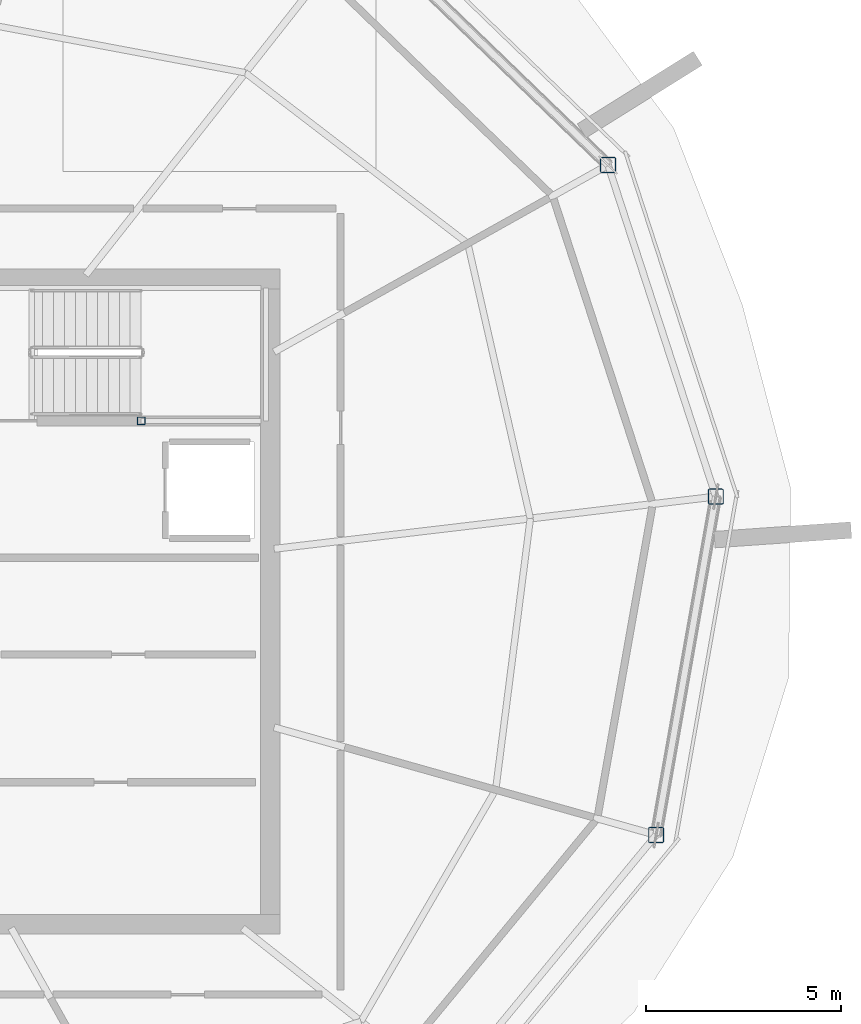
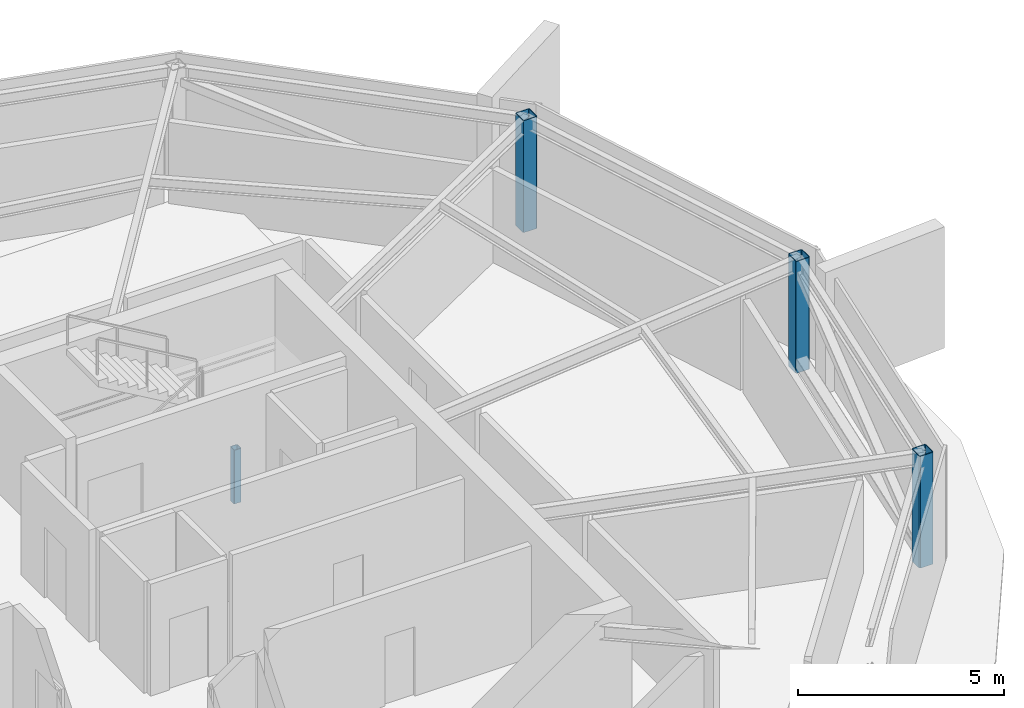
# One storey, part 3 of 10: 4 columns.
"""IFC4 building model written with IfcOpenShell, lengths in metres."""

from ifc_helpers import new_model, si_unit, direction, frame, origin, origin_2d, place, context, subcontext, project, spatial, hollow_rectangle, extrude, material, material_profile, profile_set, type_object, element, save


model = new_model("IFC4")

# Units and contexts
model_context = context("Model", 3, precision=1e-05, world=origin(), true_north=direction((0.0, 1.0)))
body_context = subcontext(model_context, "Body", "Model", "MODEL_VIEW")
ifc_project = project(units=[si_unit("LENGTHUNIT", "METRE"), si_unit("AREAUNIT", "SQUARE_METRE"), si_unit("VOLUMEUNIT", "CUBIC_METRE"), si_unit("PLANEANGLEUNIT", "RADIAN"), si_unit("MASSUNIT", "GRAM", prefix="KILO")], contexts=[model_context])

# Site, building, storey
site_placement = place(None, origin())
site = spatial("IfcSite", under=ifc_project, at=site_placement, CompositionType="ELEMENT")
building_placement = place(site_placement, origin())
building = spatial("IfcBuilding", under=site, at=building_placement, Name="Kazma Halo Residences", CompositionType="ELEMENT")
storey_placement = place(building_placement, frame((0.0, 0.0, 370.39990234375)))
storey = spatial("IfcBuildingStorey", under=building, at=storey_placement, Name="L93", CompositionType="ELEMENT", Elevation=370.39990234375)

# Columns
ifc_material = material(Name="Steel S355", Category="steel")
ifc_material_profile_1 = material_profile(ifc_material, hollow_rectangle(XDim=0.39990234375, YDim=0.39990234375, WallThickness=0.02001953125, InnerFilletRadius=0.02001953125, OuterFilletRadius=0.0400390625, at=origin_2d()), Name="SHS400x400x20")
ifc_profile_set_1 = profile_set([ifc_material_profile_1], Name="Steel S355")
column_type_1 = type_object("IfcColumnType", Name="COL-CROWN-SHS400", PredefinedType="COLUMN", material=ifc_profile_set_1)
for number, where, z_axis, x_axis, name in (
    (1, (67.940673828125, 53.167236328125, 0.0), (0.0, 0.0, 1.0), (1.0, 0.0, 0.0), "L93 CROWN FRAME perimeter column P01"),
    (2, (69.169921875, 36.029541015625, 0.0), (0.0, 0.0, 1.0), (1.0, 0.0, 0.0), "L93 CROWN FRAME perimeter column P15"),
    (3, (70.6962890625, 44.686279296875, 0.0), (0.0, 0.0, 1.0), (1.0, 0.0, 0.0), "L93 CROWN FRAME perimeter column P16"),
):
    element("IfcColumn", number, at=place(storey_placement, frame(where, z_axis=z_axis, x_axis=x_axis)), inside=storey, type_object=column_type_1, Name=name, PredefinedType="COLUMN", context=body_context, shape_type="SweptSolid", body=[
        extrude(hollow_rectangle(XDim=0.39990234375, YDim=0.39990234375, WallThickness=0.02001953125, InnerFilletRadius=0.02001953125, OuterFilletRadius=0.0400390625, at=origin_2d()), origin(), (0.0, 0.0, 1.0), 3.320068359375),
    ])
ifc_material_profile_2 = material_profile(ifc_material, hollow_rectangle(XDim=0.199951171875, YDim=0.199951171875, WallThickness=0.010009765625, InnerFilletRadius=0.010009765625, OuterFilletRadius=0.02001953125, at=origin_2d()), Name="SHS200x200x10")
ifc_profile_set_2 = profile_set([ifc_material_profile_2], Name="Steel S355")
column_type_2 = type_object("IfcColumnType", Name="COL-LP-SHS200", PredefinedType="COLUMN", material=ifc_profile_set_2)
column_placement = place(storey_placement, frame((56.0, 46.6201171875, 0.0), z_axis=(0.0, 0.0, 1.0), x_axis=(1.0, 0.0, 0.0)))
element("IfcColumn", 4, at=column_placement, inside=storey, type_object=column_type_2, Name="L93 ST-02 landing pilaster 1", PredefinedType="COLUMN", context=body_context, shape_type="SweptSolid", body=[
    extrude(hollow_rectangle(XDim=0.199951171875, YDim=0.199951171875, WallThickness=0.010009765625, InnerFilletRadius=0.010009765625, OuterFilletRadius=0.02001953125, at=origin_2d()), origin(), (0.0, 0.0, 1.0), 1.59521484375),
])

save(model, "model.ifc")
